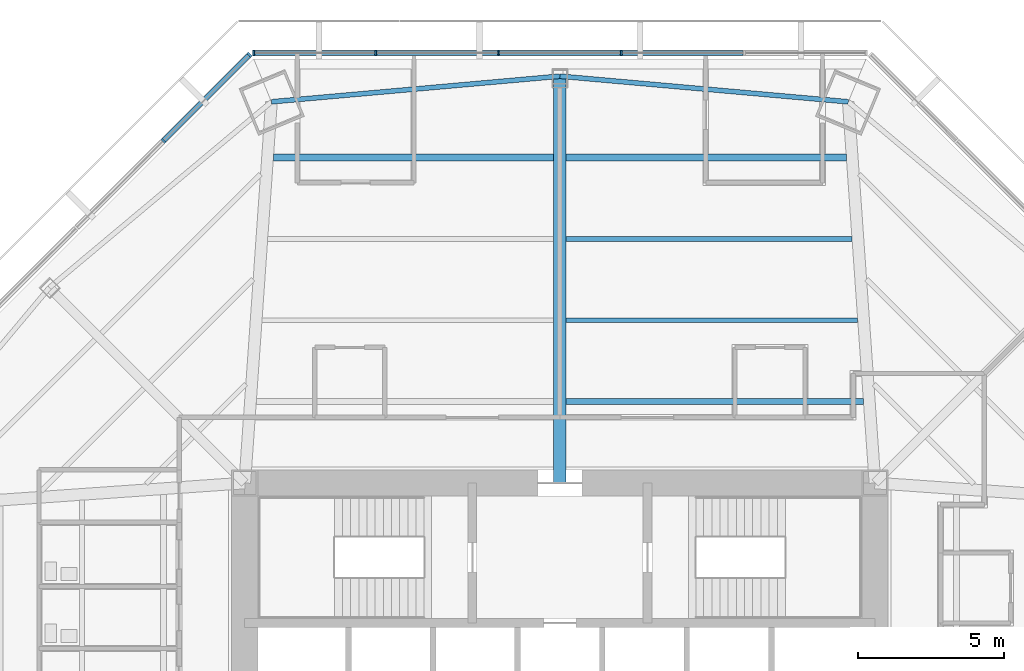
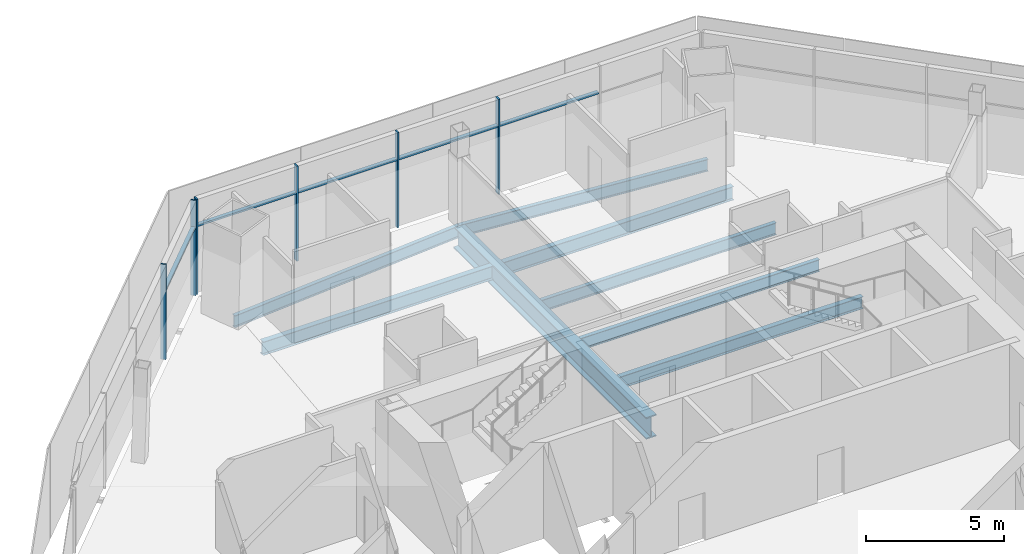
# One storey, part 6 of 17: 11 members, 8 beams, 2 elements without a shape of their own.
"""IFC4 building model written with IfcOpenShell, lengths in metres."""

from ifc_helpers import new_model, si_unit, direction, frame, origin, origin_2d, place, context, subcontext, project, spatial, rectangle, i_section, extrude, source, transform, mapped, material, material_profile, profile_set, type_object, type_shapes, element, aggregate, save


model = new_model("IFC4")

# Units and contexts
model_context = context("Model", 3, precision=1e-05, world=origin(), true_north=direction((0.0, 1.0)))
body_context = subcontext(model_context, "Body", "Model", "MODEL_VIEW")
ifc_project = project(units=[si_unit("LENGTHUNIT", "METRE"), si_unit("AREAUNIT", "SQUARE_METRE"), si_unit("VOLUMEUNIT", "CUBIC_METRE"), si_unit("PLANEANGLEUNIT", "RADIAN"), si_unit("MASSUNIT", "GRAM", prefix="KILO")], contexts=[model_context])

# Site, building, storey
site_placement = place(None, origin())
site = spatial("IfcSite", under=ifc_project, at=site_placement, CompositionType="ELEMENT")
building_placement = place(site_placement, origin())
building = spatial("IfcBuilding", under=site, at=building_placement, Name="Mashrafa Tower", CompositionType="ELEMENT")
storey_placement = place(building_placement, frame((0.0, 0.0, 87.60009765625)))
storey = spatial("IfcBuildingStorey", under=building, at=storey_placement, Name="L19", CompositionType="ELEMENT", Elevation=87.60009765625)

# Beams
ifc_material_1 = material(Name="Steel ASTM A992", Category="steel")
ifc_material_profile_1 = material_profile(ifc_material_1, i_section(OverallWidth=0.165771484375, OverallDepth=0.5283203125, WebThickness=0.009765625, FlangeThickness=0.013671875, FilletRadius=0.012939453125, at=origin_2d()), Name="W21X50")
ifc_profile_set_1 = profile_set([ifc_material_profile_1], Name="Steel ASTM A992")
beam_type_1 = type_object("IfcBeamType", Name="Beam W21X50", PredefinedType="BEAM", material=ifc_profile_set_1)
beam_1_placement = place(storey_placement, frame((0.212158203125, 16.37646484375, -0.42919921875), z_axis=(1.0, 0.0, 0.0), x_axis=(0.0, 1.0, 0.0)))
element("IfcBeam", 1, at=beam_1_placement, inside=storey, type_object=beam_type_1, Name="Floor beam L19 030", PredefinedType="BEAM", context=body_context, shape_type="SweptSolid", body=[
    extrude(i_section(OverallWidth=0.165771484375, OverallDepth=0.5283203125, WebThickness=0.009765625, FlangeThickness=0.013671875, FilletRadius=0.012939453125, at=origin_2d()), origin(), (0.0, 0.0, 1.0), 9.995849609375),
])
beam_2_placement = place(storey_placement, frame((0.212158203125, 19.164794921875, -0.42919921875), z_axis=(1.0, 0.0, 0.0), x_axis=(0.0, 1.0, 0.0)))
element("IfcBeam", 2, at=beam_2_placement, inside=storey, type_object=beam_type_1, Name="Floor beam L19 031", PredefinedType="BEAM", context=body_context, shape_type="SweptSolid", body=[
    extrude(i_section(OverallWidth=0.165771484375, OverallDepth=0.5283203125, WebThickness=0.009765625, FlangeThickness=0.013671875, FilletRadius=0.012939453125, at=origin_2d()), origin(), (0.0, 0.0, 1.0), 9.80029296875),
])
for number, where, z_axis, x_axis, name in (
    (3, (0.0, 24.7412109375, -0.42919921875), (-0.996076641631, -0.088494768196, 0.0), (0.088494768196, -0.996076641631, 0.0), "Spandrel beam L19 081"),
    (4, (9.884521484375, 23.863037109375, -0.42919921875), (-0.996076641631, 0.088494768196, 0.0), (-0.088494768196, -0.996076641631, 0.0), "Spandrel beam L19 083"),
):
    element("IfcBeam", number, at=place(storey_placement, frame(where, z_axis=z_axis, x_axis=x_axis)), inside=storey, type_object=beam_type_1, Name=name, PredefinedType="BEAM", context=body_context, shape_type="SweptSolid", body=[
        extrude(i_section(OverallWidth=0.165771484375, OverallDepth=0.5283203125, WebThickness=0.009765625, FlangeThickness=0.013671875, FilletRadius=0.012939453125, at=origin_2d()), origin(), (0.0, 0.0, 1.0), 9.92333984375),
    ])
ifc_material_2 = material(Name="Steel ASTM A992", Category="steel")
ifc_material_profile_2 = material_profile(ifc_material_2, i_section(OverallWidth=0.209228515625, OverallDepth=0.533447265625, WebThickness=0.01025390625, FlangeThickness=0.015625, FilletRadius=0.012939453125, at=origin_2d()), Name="W21X62")
ifc_profile_set_2 = profile_set([ifc_material_profile_2], Name="Steel ASTM A992")
beam_type_2 = type_object("IfcBeamType", Name="Beam W21X62", PredefinedType="BEAM", material=ifc_profile_set_2)
beam_3_placement = place(storey_placement, frame((0.212158203125, 13.58837890625, -0.431884765625), z_axis=(1.0, 0.0, 0.0), x_axis=(0.0, 1.0, 0.0)))
element("IfcBeam", 5, at=beam_3_placement, inside=storey, type_object=beam_type_2, Name="Floor beam L19 029", PredefinedType="BEAM", context=body_context, shape_type="SweptSolid", body=[
    extrude(i_section(OverallWidth=0.209228515625, OverallDepth=0.533447265625, WebThickness=0.01025390625, FlangeThickness=0.015625, FilletRadius=0.012939453125, at=origin_2d()), origin(), (0.0, 0.0, 1.0), 10.191162109375),
])
ifc_material_3 = material(Name="Steel ASTM A992", Category="steel")
ifc_material_profile_3 = material_profile(ifc_material_3, i_section(OverallWidth=0.227783203125, OverallDepth=0.60205078125, WebThickness=0.010498046875, FlangeThickness=0.014892578125, FilletRadius=0.012939453125, at=origin_2d()), Name="W24X68")
ifc_profile_set_3 = profile_set([ifc_material_profile_3], Name="Steel ASTM A992")
beam_type_3 = type_object("IfcBeamType", Name="Beam W24X68", PredefinedType="BEAM", material=ifc_profile_set_3)
for number, where, z_axis, x_axis, name in (
    (6, (-9.817138671875, 21.952880859375, -0.466064453125), (1.0, 0.0, 0.0), (0.0, 1.0, 0.0), "Floor beam L19 024"),
    (7, (0.212158203125, 21.952880859375, -0.466064453125), (1.0, 0.0, 0.0), (0.0, 1.0, 0.0), "Floor beam L19 032"),
):
    element("IfcBeam", number, at=place(storey_placement, frame(where, z_axis=z_axis, x_axis=x_axis)), inside=storey, type_object=beam_type_3, Name=name, PredefinedType="BEAM", context=body_context, shape_type="SweptSolid", body=[
        extrude(i_section(OverallWidth=0.227783203125, OverallDepth=0.60205078125, WebThickness=0.010498046875, FlangeThickness=0.014892578125, FilletRadius=0.012939453125, at=origin_2d()), origin(), (0.0, 0.0, 1.0), 9.60498046875),
    ])
ifc_material_4 = material(Name="Steel ASTM A992", Category="steel")
ifc_material_profile_4 = material_profile(ifc_material_4, i_section(OverallWidth=0.424072265625, OverallDepth=0.960205078125, WebThickness=0.028564453125, FlangeThickness=0.051025390625, FilletRadius=0.02001953125, at=origin_2d()), Name="W36X361")
ifc_profile_set_4 = profile_set([ifc_material_profile_4], Name="Steel ASTM A992")
beam_type_4 = type_object("IfcBeamType", Name="Beam W36X361", PredefinedType="BEAM", material=ifc_profile_set_4)
beam_4_placement = place(storey_placement, frame((0.0, 10.800048828125, -0.645263671875), z_axis=(0.0, 1.0, 0.0), x_axis=(-1.0, 0.0, 0.0)))
element("IfcBeam", 8, at=beam_4_placement, inside=storey, type_object=beam_type_4, Name="Radial girder L19 065", PredefinedType="BEAM", context=body_context, shape_type="SweptSolid", body=[
    extrude(i_section(OverallWidth=0.424072265625, OverallDepth=0.960205078125, WebThickness=0.028564453125, FlangeThickness=0.051025390625, FilletRadius=0.02001953125, at=origin_2d()), origin(), (0.0, 0.0, 1.0), 13.941162109375),
])

# Curtain wall, members
ifc_material_5 = material(Name="Unitised aluminium curtain wall", Category="aluminium")
curtain_wall_type = type_object("IfcCurtainWallType", Name="Office curtain wall, zone 1 CW-A 200 deep", PredefinedType="NOTDEFINED", material=ifc_material_5)
curtain_wall_1_placement = place(storey_placement, origin())
curtain_wall_1 = element("IfcCurtainWall", 9, at=curtain_wall_1_placement, inside=storey, type_object=curtain_wall_type, Name="Office curtain wall, zone 1 L19 north", PredefinedType="NOTDEFINED")
ifc_material_6 = material(Name="Extruded aluminium mullion", Category="aluminium")
ifc_material_profile_5 = material_profile(ifc_material_6, rectangle(XDim=0.199951171875, YDim=0.06494140625, at=origin_2d()), Name="Mullion 65x200")
ifc_profile_set_5 = profile_set([ifc_material_profile_5], Name="Extruded aluminium mullion")
member_type_1 = type_object("IfcMemberType", Name="Mullion CW-A 65 x 200", PredefinedType="MULLION", material=ifc_profile_set_5)
shared_shape_1 = source(origin(), body_context, "Body", "SweptSolid", [
    extrude(rectangle(XDim=0.199951171875, YDim=0.06494140625, at=origin_2d()), origin(), (0.0, 0.0, 1.0), 4.199951171875),
])
type_shapes(member_type_1, [shared_shape_1])
member_1_placement = place(storey_placement, frame((2.105224609375, 25.53662109375, 0.0), z_axis=(0.0, 0.0, 1.0), x_axis=(0.0, -1.0, 0.0)))
member_1 = element("IfcMember", 10, at=member_1_placement, type_object=member_type_1, Name="CW-A mullion 3", PredefinedType="MULLION", context=body_context, shape_type="MappedRepresentation", body=[
    mapped(shared_shape_1, transform((0.0, 0.0, 0.0))),
])
member_2_placement = place(storey_placement, frame((-2.105224609375, 25.53662109375, 0.0), z_axis=(0.0, 0.0, 1.0), x_axis=(0.0, -1.0, 0.0)))
member_2 = element("IfcMember", 11, at=member_2_placement, type_object=member_type_1, Name="CW-A mullion 4", PredefinedType="MULLION", context=body_context, shape_type="MappedRepresentation", body=[
    mapped(shared_shape_1, transform((0.0, 0.0, 0.0))),
])
member_3_placement = place(storey_placement, frame((-6.315673828125, 25.53662109375, 0.0), z_axis=(0.0, 0.0, 1.0), x_axis=(0.0, -1.0, 0.0)))
member_3 = element("IfcMember", 12, at=member_3_placement, type_object=member_type_1, Name="CW-A mullion 5", PredefinedType="MULLION", context=body_context, shape_type="MappedRepresentation", body=[
    mapped(shared_shape_1, transform((0.0, 0.0, 0.0))),
])
member_4_placement = place(storey_placement, frame((-10.49365234375, 25.53662109375, 0.0), z_axis=(0.0, 0.0, 1.0), x_axis=(0.0, -1.0, 0.0)))
member_4 = element("IfcMember", 13, at=member_4_placement, type_object=member_type_1, Name="CW-A mullion 6", PredefinedType="MULLION", context=body_context, shape_type="MappedRepresentation", body=[
    mapped(shared_shape_1, transform((0.0, 0.0, 0.0))),
])

curtain_wall_2_placement = place(storey_placement, origin())
curtain_wall_2 = element("IfcCurtainWall", 14, at=curtain_wall_2_placement, inside=storey, type_object=curtain_wall_type, Name="Office curtain wall, zone 1 L19 north-west", PredefinedType="NOTDEFINED")
member_5_placement = place(storey_placement, frame((-10.636962890625, 25.477294921875, 0.0), z_axis=(0.0, 0.0, 1.0), x_axis=(0.707106781187, -0.707106781187, 0.0)))
member_5 = element("IfcMember", 15, at=member_5_placement, type_object=member_type_1, Name="CW-A mullion 1", PredefinedType="MULLION", context=body_context, shape_type="MappedRepresentation", body=[
    mapped(shared_shape_1, transform((0.0, 0.0, 0.0))),
])
member_6_placement = place(storey_placement, frame((-13.59130859375, 22.52294921875, 0.0), z_axis=(0.0, 0.0, 1.0), x_axis=(0.707106781187, -0.707106781187, 0.0)))
member_6 = element("IfcMember", 16, at=member_6_placement, type_object=member_type_1, Name="CW-A mullion 2", PredefinedType="MULLION", context=body_context, shape_type="MappedRepresentation", body=[
    mapped(shared_shape_1, transform((0.0, 0.0, 0.0))),
])

# Member
ifc_material_7 = material(Name="Extruded aluminium transom", Category="aluminium")
ifc_material_profile_6 = material_profile(ifc_material_7, rectangle(XDim=0.159912109375, YDim=0.080078125, at=origin_2d()), Name="Transom 80x160")
ifc_profile_set_6 = profile_set([ifc_material_profile_6], Name="Extruded aluminium transom")
member_type_2 = type_object("IfcMemberType", Name="Transom CW-A 80 x 160", PredefinedType="MULLION", material=ifc_profile_set_6)
shared_shape_2 = source(origin(), body_context, "Body", "SweptSolid", [
    extrude(rectangle(XDim=0.159912109375, YDim=0.080078125, at=origin_2d()), origin(), (0.0, 0.0, 1.0), 4.113037109375),
])
member_7_placement = place(storey_placement, frame((-6.34814453125, 25.53662109375, 3.0), z_axis=(-1.0, 0.0, 0.0), x_axis=(0.0, -1.0, 0.0)))
member_7 = element("IfcMember", 17, at=member_7_placement, type_object=member_type_2, Name="CW-A transom 5", PredefinedType="MULLION", context=body_context, shape_type="MappedRepresentation", body=[
    mapped(shared_shape_2, transform((0.0, 0.0, 0.0))),
])

shared_shape_3 = source(origin(), body_context, "Body", "SweptSolid", [
    extrude(rectangle(XDim=0.159912109375, YDim=0.080078125, at=origin_2d()), origin(), (0.0, 0.0, 1.0), 4.1455078125),
])
member_8_placement = place(storey_placement, frame((6.283203125, 25.53662109375, 3.0), z_axis=(-1.0, 0.0, 0.0), x_axis=(0.0, -1.0, 0.0)))
member_8 = element("IfcMember", 18, at=member_8_placement, type_object=member_type_2, Name="CW-A transom 2", PredefinedType="MULLION", context=body_context, shape_type="MappedRepresentation", body=[
    mapped(shared_shape_3, transform((0.0, 0.0, 0.0))),
])

member_9_placement = place(storey_placement, frame((2.07275390625, 25.53662109375, 3.0), z_axis=(-1.0, 0.0, 0.0), x_axis=(0.0, -1.0, 0.0)))
member_9 = element("IfcMember", 19, at=member_9_placement, type_object=member_type_2, Name="CW-A transom 3", PredefinedType="MULLION", context=body_context, shape_type="MappedRepresentation", body=[
    mapped(shared_shape_3, transform((0.0, 0.0, 0.0))),
])

member_10_placement = place(storey_placement, frame((-2.1376953125, 25.53662109375, 3.0), z_axis=(-1.0, 0.0, 0.0), x_axis=(0.0, -1.0, 0.0)))
member_10 = element("IfcMember", 20, at=member_10_placement, type_object=member_type_2, Name="CW-A transom 4", PredefinedType="MULLION", context=body_context, shape_type="MappedRepresentation", body=[
    mapped(shared_shape_3, transform((0.0, 0.0, 0.0))),
])

aggregate(curtain_wall_1, [member_1, member_2, member_3, member_4, member_8, member_9, member_10, member_7])

shared_shape_4 = source(origin(), body_context, "Body", "SweptSolid", [
    extrude(rectangle(XDim=0.159912109375, YDim=0.080078125, at=origin_2d()), origin(), (0.0, 0.0, 1.0), 4.11328125),
])
type_shapes(member_type_2, [shared_shape_2, shared_shape_3, shared_shape_4])
member_11_placement = place(storey_placement, frame((-10.659912109375, 25.454345703125, 3.0), z_axis=(-0.707106781187, -0.707106781187, 0.0), x_axis=(0.707106781187, -0.707106781187, 0.0)))
member_11 = element("IfcMember", 21, at=member_11_placement, type_object=member_type_2, Name="CW-A transom 1", PredefinedType="MULLION", context=body_context, shape_type="MappedRepresentation", body=[
    mapped(shared_shape_4, transform((0.0, 0.0, 0.0))),
])

aggregate(curtain_wall_2, [member_5, member_6, member_11])

save(model, "model.ifc")
